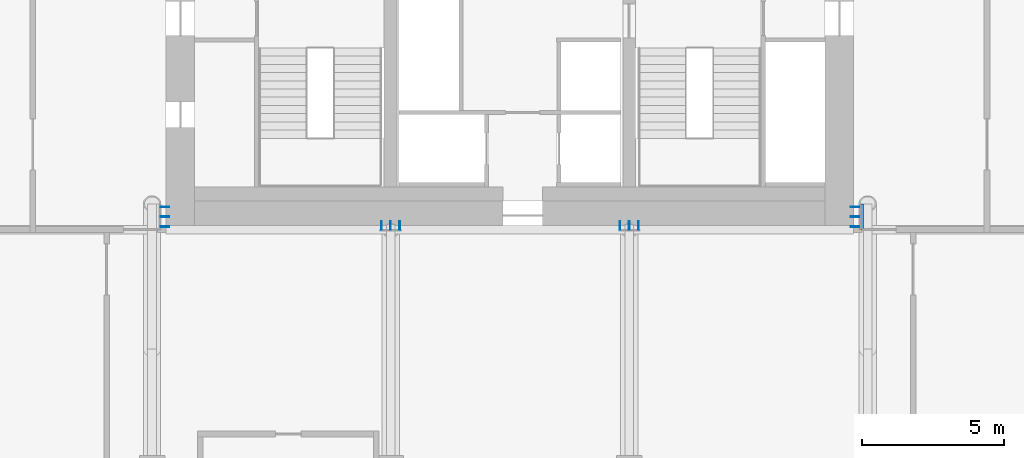
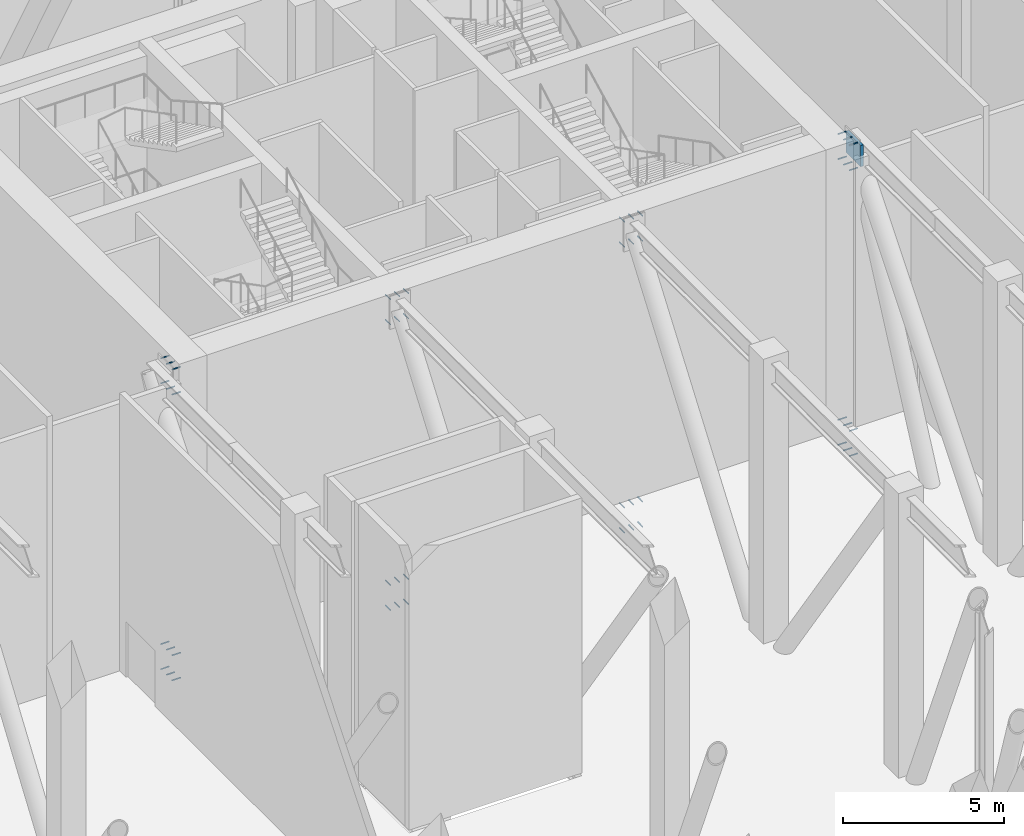
# One storey, part 14 of 20: 48 mechanical fasteners, 1 discrete accessory.
"""IFC4 building model written with IfcOpenShell, lengths in metres."""

from ifc_helpers import new_model, si_unit, direction, frame, origin, origin_2d, place, context, subcontext, project, spatial, rectangle, extrude, material, layer, layer_set, type_object, element, save


model = new_model("IFC4")

# Units and contexts
model_context = context("Model", 3, precision=1e-05, world=origin(), true_north=direction((0.0, 1.0)))
body_context = subcontext(model_context, "Body", "Model", "MODEL_VIEW")
ifc_project = project(units=[si_unit("LENGTHUNIT", "METRE"), si_unit("AREAUNIT", "SQUARE_METRE"), si_unit("VOLUMEUNIT", "CUBIC_METRE"), si_unit("PLANEANGLEUNIT", "RADIAN"), si_unit("MASSUNIT", "GRAM", prefix="KILO")], contexts=[model_context])

# Site, building, storey
site_placement = place(None, origin())
site = spatial("IfcSite", under=ifc_project, at=site_placement, CompositionType="ELEMENT")
building_placement = place(site_placement, origin())
building = spatial("IfcBuilding", under=site, at=building_placement, Name="Marenta Gate Hotel Tower", CompositionType="ELEMENT")
storey_placement = place(building_placement, frame((0.0, 0.0, 169.699951171875)))
storey = spatial("IfcBuildingStorey", under=building, at=storey_placement, Name="L40", CompositionType="ELEMENT", Elevation=169.699951171875)

# Mechanical fasteners
ifc_material_1 = material(Name="Steel S355", Category="steel")
mechanical_fastener_type = type_object("IfcMechanicalFastenerType", Name="Headed anchor stud 25 x 300", PredefinedType="ANCHORBOLT", material=ifc_material_1)
for number, where, z_axis, x_axis, name in (
    (1, (-12.14990234375, 0.10009765625, -1.1943359375), (0.0, 0.0, 1.0), (1.0, 0.0, 0.0), "AS1 Anchor stud CN-L40-5B-A1"),
    (2, (-12.14990234375, 0.449951171875, -1.1943359375), (0.0, 0.0, 1.0), (1.0, 0.0, 0.0), "AS1 Anchor stud CN-L40-5B-A2"),
    (3, (-12.14990234375, 0.800048828125, -1.1943359375), (0.0, 0.0, 1.0), (1.0, 0.0, 0.0), "AS1 Anchor stud CN-L40-5B-A3"),
    (4, (-12.14990234375, 0.10009765625, -0.244384765625), (0.0, 0.0, 1.0), (1.0, 0.0, 0.0), "AS1 Anchor stud CN-L40-5B-A4"),
    (5, (-12.14990234375, 0.449951171875, -0.244384765625), (0.0, 0.0, 1.0), (1.0, 0.0, 0.0), "AS1 Anchor stud CN-L40-5B-A5"),
    (6, (-12.14990234375, 0.800048828125, -0.244384765625), (0.0, 0.0, 1.0), (1.0, 0.0, 0.0), "AS1 Anchor stud CN-L40-5B-A6"),
    (7, (-12.14990234375, 0.10009765625, 9.6455078125), (0.0, 0.0, 1.0), (1.0, 0.0, 0.0), "AS1 Anchor stud CN-L40-5T-A1"),
    (8, (-12.14990234375, 0.449951171875, 9.6455078125), (0.0, 0.0, 1.0), (1.0, 0.0, 0.0), "AS1 Anchor stud CN-L40-5T-A2"),
    (9, (-12.14990234375, 0.800048828125, 9.6455078125), (0.0, 0.0, 1.0), (1.0, 0.0, 0.0), "AS1 Anchor stud CN-L40-5T-A3"),
    (10, (-12.14990234375, 0.10009765625, 10.595703125), (0.0, 0.0, 1.0), (1.0, 0.0, 0.0), "AS1 Anchor stud CN-L40-5T-A4"),
    (11, (-12.14990234375, 0.449951171875, 10.595703125), (0.0, 0.0, 1.0), (1.0, 0.0, 0.0), "AS1 Anchor stud CN-L40-5T-A5"),
    (12, (-12.14990234375, 0.800048828125, 10.595703125), (0.0, 0.0, 1.0), (1.0, 0.0, 0.0), "AS1 Anchor stud CN-L40-5T-A6"),
):
    element("IfcMechanicalFastener", number, at=place(storey_placement, frame(where, z_axis=z_axis, x_axis=x_axis)), inside=storey, type_object=mechanical_fastener_type, Name=name, PredefinedType="ANCHORBOLT", context=body_context, shape_type="SweptSolid", body=[
        extrude(rectangle(XDim=0.300048828125, YDim=0.02490234375, at=origin_2d()), origin(), (0.0, 0.0, 1.0), 0.02490234375),
    ])
for number, where, z_axis, x_axis, name in (
    (13, (-4.52490234375, 0.14990234375, -1.1943359375), (0.0, 0.0, 1.0), (1.0, 0.0, 0.0), "AS1 Anchor stud CN-L40-6B-A1"),
    (14, (-4.199951171875, 0.14990234375, -1.1943359375), (0.0, 0.0, 1.0), (1.0, 0.0, 0.0), "AS1 Anchor stud CN-L40-6B-A2"),
    (15, (-3.875, 0.14990234375, -1.1943359375), (0.0, 0.0, 1.0), (1.0, 0.0, 0.0), "AS1 Anchor stud CN-L40-6B-A3"),
    (16, (-4.52490234375, 0.14990234375, -0.244384765625), (0.0, 0.0, 1.0), (1.0, 0.0, 0.0), "AS1 Anchor stud CN-L40-6B-A4"),
    (17, (-4.199951171875, 0.14990234375, -0.244384765625), (0.0, 0.0, 1.0), (1.0, 0.0, 0.0), "AS1 Anchor stud CN-L40-6B-A5"),
    (18, (-3.875, 0.14990234375, -0.244384765625), (0.0, 0.0, 1.0), (1.0, 0.0, 0.0), "AS1 Anchor stud CN-L40-6B-A6"),
    (19, (-4.52490234375, 0.14990234375, 9.6455078125), (0.0, 0.0, 1.0), (1.0, 0.0, 0.0), "AS1 Anchor stud CN-L40-6T-A1"),
    (20, (-4.199951171875, 0.14990234375, 9.6455078125), (0.0, 0.0, 1.0), (1.0, 0.0, 0.0), "AS1 Anchor stud CN-L40-6T-A2"),
    (21, (-3.875, 0.14990234375, 9.6455078125), (0.0, 0.0, 1.0), (1.0, 0.0, 0.0), "AS1 Anchor stud CN-L40-6T-A3"),
    (22, (-4.52490234375, 0.14990234375, 10.595703125), (0.0, 0.0, 1.0), (1.0, 0.0, 0.0), "AS1 Anchor stud CN-L40-6T-A4"),
    (23, (-4.199951171875, 0.14990234375, 10.595703125), (0.0, 0.0, 1.0), (1.0, 0.0, 0.0), "AS1 Anchor stud CN-L40-6T-A5"),
    (24, (-3.875, 0.14990234375, 10.595703125), (0.0, 0.0, 1.0), (1.0, 0.0, 0.0), "AS1 Anchor stud CN-L40-6T-A6"),
    (25, (3.875, 0.14990234375, -1.1943359375), (0.0, 0.0, 1.0), (1.0, 0.0, 0.0), "AS1 Anchor stud CN-L40-7B-A1"),
    (26, (4.199951171875, 0.14990234375, -1.1943359375), (0.0, 0.0, 1.0), (1.0, 0.0, 0.0), "AS1 Anchor stud CN-L40-7B-A2"),
    (27, (4.52490234375, 0.14990234375, -1.1943359375), (0.0, 0.0, 1.0), (1.0, 0.0, 0.0), "AS1 Anchor stud CN-L40-7B-A3"),
    (28, (3.875, 0.14990234375, -0.244384765625), (0.0, 0.0, 1.0), (1.0, 0.0, 0.0), "AS1 Anchor stud CN-L40-7B-A4"),
    (29, (4.199951171875, 0.14990234375, -0.244384765625), (0.0, 0.0, 1.0), (1.0, 0.0, 0.0), "AS1 Anchor stud CN-L40-7B-A5"),
    (30, (4.52490234375, 0.14990234375, -0.244384765625), (0.0, 0.0, 1.0), (1.0, 0.0, 0.0), "AS1 Anchor stud CN-L40-7B-A6"),
    (31, (3.875, 0.14990234375, 9.6455078125), (0.0, 0.0, 1.0), (1.0, 0.0, 0.0), "AS1 Anchor stud CN-L40-7T-A1"),
    (32, (4.199951171875, 0.14990234375, 9.6455078125), (0.0, 0.0, 1.0), (1.0, 0.0, 0.0), "AS1 Anchor stud CN-L40-7T-A2"),
    (33, (4.52490234375, 0.14990234375, 9.6455078125), (0.0, 0.0, 1.0), (1.0, 0.0, 0.0), "AS1 Anchor stud CN-L40-7T-A3"),
    (34, (3.875, 0.14990234375, 10.595703125), (0.0, 0.0, 1.0), (1.0, 0.0, 0.0), "AS1 Anchor stud CN-L40-7T-A4"),
    (35, (4.199951171875, 0.14990234375, 10.595703125), (0.0, 0.0, 1.0), (1.0, 0.0, 0.0), "AS1 Anchor stud CN-L40-7T-A5"),
    (36, (4.52490234375, 0.14990234375, 10.595703125), (0.0, 0.0, 1.0), (1.0, 0.0, 0.0), "AS1 Anchor stud CN-L40-7T-A6"),
):
    element("IfcMechanicalFastener", number, at=place(storey_placement, frame(where, z_axis=z_axis, x_axis=x_axis)), inside=storey, type_object=mechanical_fastener_type, Name=name, PredefinedType="ANCHORBOLT", context=body_context, shape_type="SweptSolid", body=[
        extrude(rectangle(XDim=0.02490234375, YDim=0.300048828125, at=origin_2d()), origin(), (0.0, 0.0, 1.0), 0.02490234375),
    ])
for number, where, z_axis, x_axis, name in (
    (37, (12.14990234375, 0.10009765625, -1.1943359375), (0.0, 0.0, 1.0), (1.0, 0.0, 0.0), "AS1 Anchor stud CN-L40-8B-A1"),
    (38, (12.14990234375, 0.449951171875, -1.1943359375), (0.0, 0.0, 1.0), (1.0, 0.0, 0.0), "AS1 Anchor stud CN-L40-8B-A2"),
    (39, (12.14990234375, 0.800048828125, -1.1943359375), (0.0, 0.0, 1.0), (1.0, 0.0, 0.0), "AS1 Anchor stud CN-L40-8B-A3"),
    (40, (12.14990234375, 0.10009765625, -0.244384765625), (0.0, 0.0, 1.0), (1.0, 0.0, 0.0), "AS1 Anchor stud CN-L40-8B-A4"),
    (41, (12.14990234375, 0.449951171875, -0.244384765625), (0.0, 0.0, 1.0), (1.0, 0.0, 0.0), "AS1 Anchor stud CN-L40-8B-A5"),
    (42, (12.14990234375, 0.800048828125, -0.244384765625), (0.0, 0.0, 1.0), (1.0, 0.0, 0.0), "AS1 Anchor stud CN-L40-8B-A6"),
    (43, (12.14990234375, 0.10009765625, 9.6455078125), (0.0, 0.0, 1.0), (1.0, 0.0, 0.0), "AS1 Anchor stud CN-L40-8T-A1"),
    (44, (12.14990234375, 0.449951171875, 9.6455078125), (0.0, 0.0, 1.0), (1.0, 0.0, 0.0), "AS1 Anchor stud CN-L40-8T-A2"),
    (45, (12.14990234375, 0.800048828125, 9.6455078125), (0.0, 0.0, 1.0), (1.0, 0.0, 0.0), "AS1 Anchor stud CN-L40-8T-A3"),
    (46, (12.14990234375, 0.10009765625, 10.595703125), (0.0, 0.0, 1.0), (1.0, 0.0, 0.0), "AS1 Anchor stud CN-L40-8T-A4"),
    (47, (12.14990234375, 0.449951171875, 10.595703125), (0.0, 0.0, 1.0), (1.0, 0.0, 0.0), "AS1 Anchor stud CN-L40-8T-A5"),
    (48, (12.14990234375, 0.800048828125, 10.595703125), (0.0, 0.0, 1.0), (1.0, 0.0, 0.0), "AS1 Anchor stud CN-L40-8T-A6"),
):
    element("IfcMechanicalFastener", number, at=place(storey_placement, frame(where, z_axis=z_axis, x_axis=x_axis)), inside=storey, type_object=mechanical_fastener_type, Name=name, PredefinedType="ANCHORBOLT", context=body_context, shape_type="SweptSolid", body=[
        extrude(rectangle(XDim=0.300048828125, YDim=0.02490234375, at=origin_2d()), origin(), (0.0, 0.0, 1.0), 0.02490234375),
    ])

# Discrete accessory
ifc_material_2 = material(Name="Steel S355", Category="steel")
ifc_layer = layer(ifc_material_2, 0.098388671875)
ifc_layer_set = layer_set([ifc_layer], Name="Steel S355")
discrete_accessory_type = type_object("IfcDiscreteAccessoryType", Name="Packer plate 98 thick", PredefinedType="ANCHORPLATE", material=ifc_layer_set)
discrete_accessory_placement = place(storey_placement, frame((12.3994140625, 0.449951171875, 9.72607421875), z_axis=(0.0, 0.0, 1.0), x_axis=(1.0, 0.0, 0.0)))
element("IfcDiscreteAccessory", 49, at=discrete_accessory_placement, inside=storey, type_object=discrete_accessory_type, Name="PK1 Packer plate CN-L40-8T-K", PredefinedType="ANCHORPLATE", context=body_context, shape_type="SweptSolid", body=[
    extrude(rectangle(XDim=0.098388671875, YDim=0.89990234375, at=origin_2d()), origin(), (0.0, 0.0, 1.0), 0.81396484375),
])

save(model, "model.ifc")
